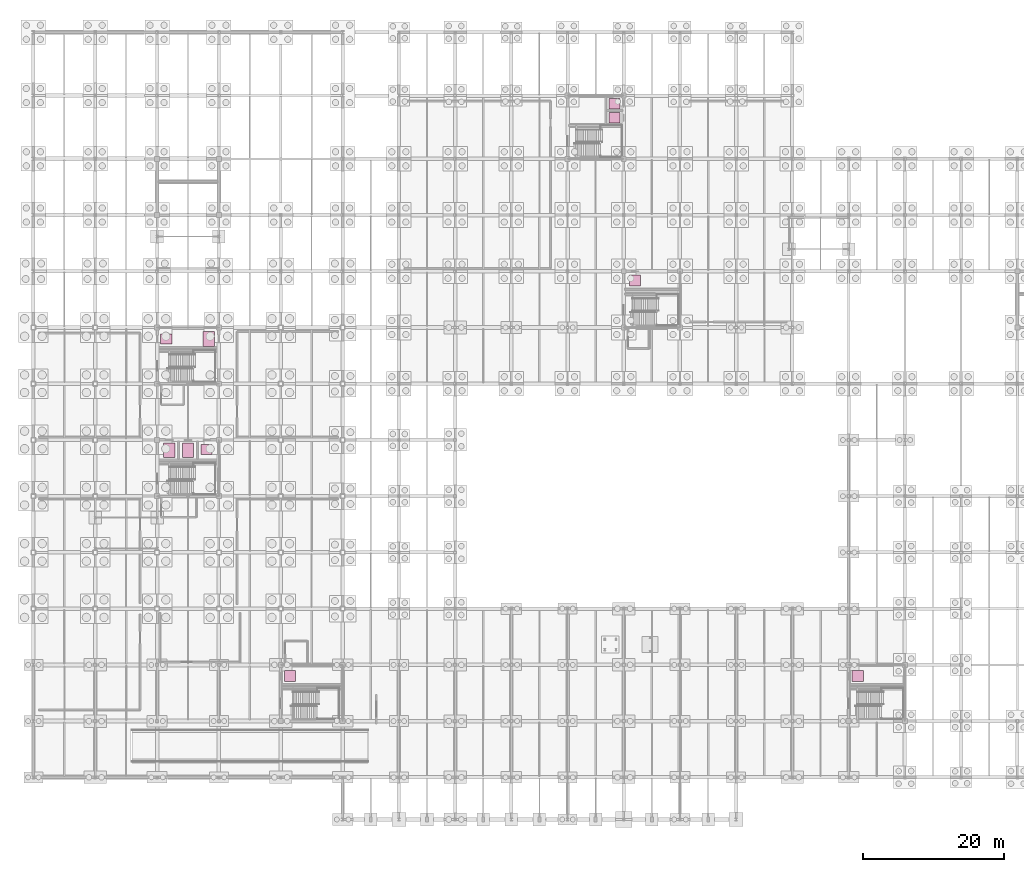
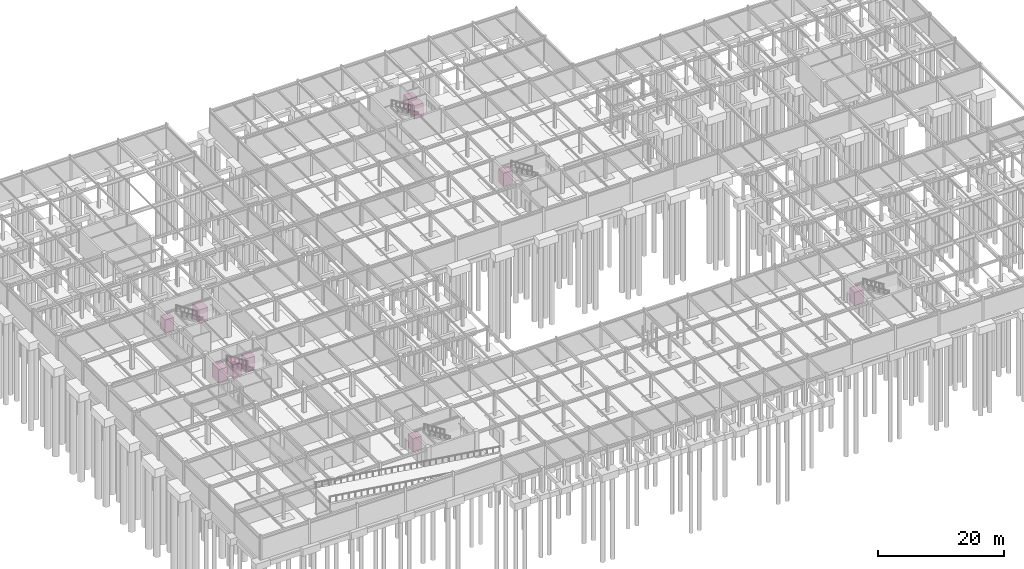
# One storey, part 72 of 72: 10 transport elements.
"""IFC4 building model written with IfcOpenShell, lengths in metres."""

from ifc_helpers import new_model, si_unit, direction, frame, origin, origin_2d, place, context, subcontext, project, spatial, rectangle, extrude, material, type_object, element, save


model = new_model("IFC4")

# Units and contexts
model_context = context("Model", 3, precision=1e-05, world=origin(), true_north=direction((0.0, 1.0)))
body_context = subcontext(model_context, "Body", "Model", "MODEL_VIEW")
ifc_project = project(units=[si_unit("LENGTHUNIT", "METRE"), si_unit("AREAUNIT", "SQUARE_METRE"), si_unit("VOLUMEUNIT", "CUBIC_METRE"), si_unit("PLANEANGLEUNIT", "RADIAN"), si_unit("MASSUNIT", "GRAM", prefix="KILO")], contexts=[model_context])

# Site, building, storey
site_placement = place(None, origin())
site = spatial("IfcSite", under=ifc_project, at=site_placement, CompositionType="ELEMENT")
building_placement = place(site_placement, origin())
building = spatial("IfcBuilding", under=site, at=building_placement, Name="Zhaolan Boulevard Law Courts", CompositionType="ELEMENT")
storey_placement = place(building_placement, frame((0.0, 0.0, -4.800048828125)))
storey = spatial("IfcBuildingStorey", under=building, at=storey_placement, Name="B1", CompositionType="ELEMENT", Elevation=-4.800048828125)

# Transport elements
ifc_material_1 = material(Name="Reinforced stainless steel 304", Category="concrete")
transport_element_type_1 = type_object("IfcTransportElementType", Name="ELEVATOR CUSTODY 1600X1500", PredefinedType="ELEVATOR", material=ifc_material_1)
for number, where, z_axis, x_axis, name in (
    (1, (82.699951171875, 99.85009765625, 0.0), (0.0, 0.0, 1.0), (1.0, 0.0, 0.0), "Elevator CL-01"),
    (2, (82.699951171875, 101.85009765625, 0.0), (0.0, 0.0, 1.0), (1.0, 0.0, 0.0), "Elevator CL-02"),
):
    element("IfcTransportElement", number, at=place(storey_placement, frame(where, z_axis=z_axis, x_axis=x_axis)), inside=storey, type_object=transport_element_type_1, Name=name, PredefinedType="ELEVATOR", context=body_context, shape_type="SweptSolid", body=[
        extrude(rectangle(XDim=1.60009765625, YDim=1.5, at=origin_2d()), origin(), (0.0, 0.0, 1.0), 2.60009765625),
    ])
ifc_material_2 = material(Name="Brushed stainless steel 304", Category="steel")
transport_element_type_2 = type_object("IfcTransportElementType", Name="ELEVATOR FIRE STRETCHER 1600X2100", PredefinedType="ELEVATOR", material=ifc_material_2)
for number, where, z_axis, x_axis, name in (
    (3, (19.35009765625, 52.550048828125, 0.0), (0.0, 0.0, 1.0), (1.0, 0.0, 0.0), "Elevator FL-01"),
    (4, (22.0, 52.550048828125, 0.0), (0.0, 0.0, 1.0), (1.0, 0.0, 0.0), "Elevator FL-02"),
    (5, (24.949951171875, 68.35009765625, 0.0), (0.0, 0.0, 1.0), (1.0, 0.0, 0.0), "Elevator FL-03"),
):
    element("IfcTransportElement", number, at=place(storey_placement, frame(where, z_axis=z_axis, x_axis=x_axis)), inside=storey, type_object=transport_element_type_2, Name=name, PredefinedType="ELEVATOR", context=body_context, shape_type="SweptSolid", body=[
        extrude(rectangle(XDim=1.60009765625, YDim=2.10009765625, at=origin_2d()), origin(), (0.0, 0.0, 1.0), 2.60009765625),
    ])
ifc_material_3 = material(Name="Brushed stainless steel 304", Category="steel")
transport_element_type_3 = type_object("IfcTransportElementType", Name="ELEVATOR JUDICIAL 1600X1450", PredefinedType="ELEVATOR", material=ifc_material_3)
for number, where, z_axis, x_axis, name in (
    (6, (24.64990234375, 52.64990234375, 0.0), (0.0, 0.0, 1.0), (1.0, 0.0, 0.0), "Elevator JL-01"),
    (7, (18.89990234375, 68.35009765625, 0.0), (0.0, 0.0, 1.0), (1.0, 0.0, 0.0), "Elevator JL-02"),
):
    element("IfcTransportElement", number, at=place(storey_placement, frame(where, z_axis=z_axis, x_axis=x_axis)), inside=storey, type_object=transport_element_type_3, Name=name, PredefinedType="ELEVATOR", context=body_context, shape_type="SweptSolid", body=[
        extrude(rectangle(XDim=1.60009765625, YDim=1.449951171875, at=origin_2d()), origin(), (0.0, 0.0, 1.0), 2.60009765625),
    ])
ifc_material_4 = material(Name="Brushed stainless steel 304", Category="steel")
transport_element_type_4 = type_object("IfcTransportElementType", Name="ELEVATOR PUBLIC 1600X1600", PredefinedType="ELEVATOR", material=ifc_material_4)
for number, where, z_axis, x_axis, name in (
    (8, (36.5, 20.39990234375, 0.0), (0.0, 0.0, 1.0), (1.0, 0.0, 0.0), "Elevator PL-01"),
    (9, (117.300048828125, 20.39990234375, 0.0), (0.0, 0.0, 1.0), (1.0, 0.0, 0.0), "Elevator PL-02"),
    (10, (85.60009765625, 76.699951171875, 0.0), (0.0, 0.0, 1.0), (1.0, 0.0, 0.0), "Elevator PL-03"),
):
    element("IfcTransportElement", number, at=place(storey_placement, frame(where, z_axis=z_axis, x_axis=x_axis)), inside=storey, type_object=transport_element_type_4, Name=name, PredefinedType="ELEVATOR", context=body_context, shape_type="SweptSolid", body=[
        extrude(rectangle(XDim=1.60009765625, YDim=1.60009765625, at=origin_2d()), origin(), (0.0, 0.0, 1.0), 2.60009765625),
    ])

save(model, "model.ifc")
